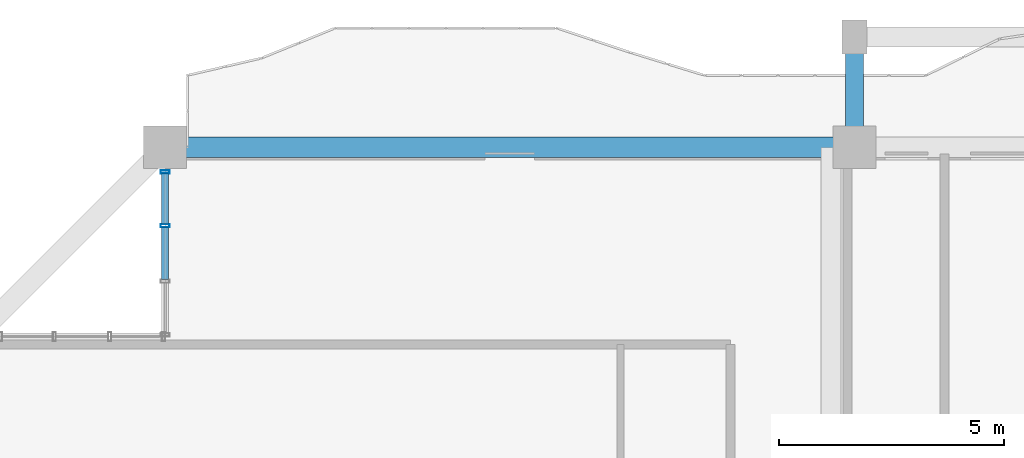
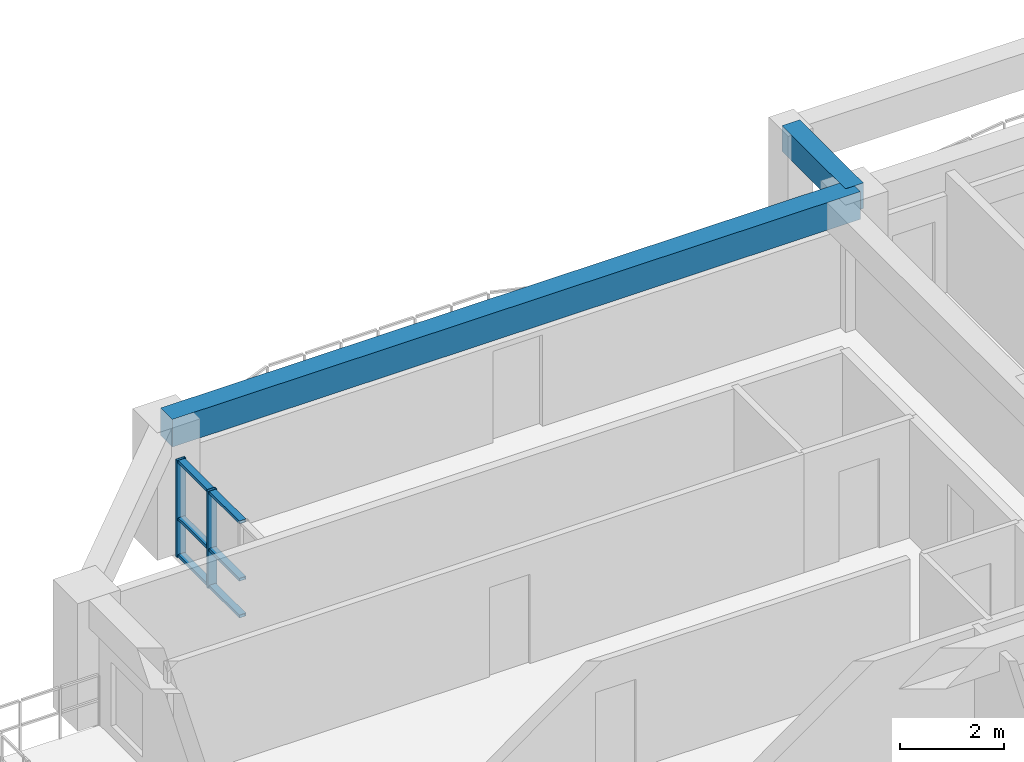
# One storey, part 8 of 22: 8 members, 2 beams, 1 element without a shape of its own.
"""IFC4 building model written with IfcOpenShell, lengths in metres."""

from ifc_helpers import new_model, si_unit, direction, frame, origin, origin_2d, place, context, subcontext, project, spatial, rectangle, hollow_rectangle, extrude, source, transform, mapped, material, layer, layer_set, material_profile, profile_set, type_object, element, aggregate, save


model = new_model("IFC4")

# Units and contexts
model_context = context("Model", 3, precision=1e-05, world=origin(), true_north=direction((0.0, 1.0)))
body_context = subcontext(model_context, "Body", "Model", "MODEL_VIEW")
ifc_project = project(units=[si_unit("LENGTHUNIT", "METRE"), si_unit("AREAUNIT", "SQUARE_METRE"), si_unit("VOLUMEUNIT", "CUBIC_METRE"), si_unit("PLANEANGLEUNIT", "RADIAN"), si_unit("MASSUNIT", "GRAM", prefix="KILO")], contexts=[model_context])

# Site, building, storey
site_placement = place(None, origin())
site = spatial("IfcSite", under=ifc_project, at=site_placement, CompositionType="ELEMENT")
building_placement = place(site_placement, origin())
building = spatial("IfcBuilding", under=site, at=building_placement, Name="Saelheon Loggia Tower", CompositionType="ELEMENT")
storey_placement = place(building_placement, frame((0.0, 0.0, 135.75)))
storey = spatial("IfcBuildingStorey", under=building, at=storey_placement, Name="L43", CompositionType="ELEMENT", Elevation=135.75)

# Beams
ifc_material_1 = material(Name="Precast Concrete C45/55", Category="concrete")
ifc_material_profile_1 = material_profile(ifc_material_1, rectangle(XDim=0.39990234375, YDim=0.60009765625, at=origin_2d()), Name="RC-400x600")
ifc_profile_set_1 = profile_set([ifc_material_profile_1], Name="Precast Concrete C45/55")
beam_type_1 = type_object("IfcBeamType", Name="Beam_LoggiaTie_RC400x600", PredefinedType="BEAM", material=ifc_profile_set_1)
shared_shape_1 = source(origin(), body_context, "Body", "SweptSolid", [
    extrude(rectangle(XDim=0.39990234375, YDim=0.60009765625, at=origin_2d()), origin(), (0.0, 0.0, 1.0), 2.449951171875),
])
beam_1_placement = place(storey_placement, frame((31.5, 51.0, 2.699951171875), z_axis=(0.0, 1.0, 0.0), x_axis=(-1.0, 0.0, 0.0)))
element("IfcBeam", 1, at=beam_1_placement, inside=storey, type_object=beam_type_1, Name="L43 Loggia Frame Tie Beam LP-N1", PredefinedType="BEAM", context=body_context, shape_type="MappedRepresentation", body=[
    mapped(shared_shape_1, transform((0.0, 0.0, 0.0), scale=1.0)),
])
ifc_material_2 = material(Name="Concrete C40/50", Category="concrete")
ifc_material_profile_2 = material_profile(ifc_material_2, rectangle(XDim=0.449951171875, YDim=0.64990234375, at=origin_2d()), Name="RC-450x650")
ifc_profile_set_2 = profile_set([ifc_material_profile_2], Name="Concrete C40/50")
beam_type_2 = type_object("IfcBeamType", Name="Beam_PerimTower_RC450x650", PredefinedType="BEAM", material=ifc_profile_set_2)
shared_shape_2 = source(origin(), body_context, "Body", "SweptSolid", [
    extrude(rectangle(XDim=0.449951171875, YDim=0.64990234375, at=origin_2d()), origin(), (0.0, 0.0, 1.0), 15.300048828125),
])
beam_2_placement = place(storey_placement, frame((31.5, 51.0, 2.675048828125), z_axis=(-1.0, 0.0, 0.0), x_axis=(0.0, -1.0, 0.0)))
element("IfcBeam", 2, at=beam_2_placement, inside=storey, type_object=beam_type_2, Name="L43 Perimeter Frame Girder 11", PredefinedType="BEAM", context=body_context, shape_type="MappedRepresentation", body=[
    mapped(shared_shape_2, transform((0.0, 0.0, 0.0), scale=1.0)),
])

# Curtain wall, members
ifc_material_3 = material(Name="High-Wind Aluminium and Triple Laminated Glass", Category="aluminium")
ifc_layer = layer(ifc_material_3, 0.179931640625)
ifc_layer_set = layer_set([ifc_layer], Name="High-Wind Aluminium and Triple Laminated Glass")
curtain_wall_type = type_object("IfcCurtainWallType", Name="CW_TowerLoggiaHigh", PredefinedType="NOTDEFINED", material=ifc_layer_set)
curtain_wall_placement = place(storey_placement, origin())
curtain_wall = element("IfcCurtainWall", 3, at=curtain_wall_placement, inside=storey, type_object=curtain_wall_type, Name="L43 Corner Notch Glazing NW1", PredefinedType="NOTDEFINED")
ifc_material_4 = material(Name="Anodised Aluminium 6063-T6", Category="aluminium")
ifc_material_profile_3 = material_profile(ifc_material_4, hollow_rectangle(XDim=0.070068359375, YDim=0.199951171875, WallThickness=0.0048828125, at=origin_2d()), Name="RHS-200x70x5")
ifc_profile_set_3 = profile_set([ifc_material_profile_3], Name="Anodised Aluminium 6063-T6")
member_type_1 = type_object("IfcMemberType", Name="CW_TowerLoggiaHigh_Mullion", PredefinedType="MULLION", material=ifc_profile_set_3)
shared_shape_3 = source(origin(), body_context, "Body", "SweptSolid", [
    extrude(hollow_rectangle(XDim=0.070068359375, YDim=0.199951171875, WallThickness=0.0048828125, at=origin_2d()), origin(), (0.0, 0.0, 1.0), 2.280029296875),
])
member_1_placement = place(storey_placement, frame((16.199951171875, 49.256591796875, 0.0), z_axis=(0.0, 0.0, 1.0), x_axis=(0.0, 1.0, 0.0)))
member_1 = element("IfcMember", 4, at=member_1_placement, type_object=member_type_1, Name="CW4 mullion 3", PredefinedType="MULLION", context=body_context, shape_type="MappedRepresentation", body=[
    mapped(shared_shape_3, transform((0.0, 0.0, 0.0), scale=1.0)),
])
member_2_placement = place(storey_placement, frame((16.199951171875, 50.449951171875, 0.0), z_axis=(0.0, 0.0, 1.0), x_axis=(0.0, 1.0, 0.0)))
member_2 = element("IfcMember", 5, at=member_2_placement, type_object=member_type_1, Name="CW4 mullion 4", PredefinedType="MULLION", context=body_context, shape_type="MappedRepresentation", body=[
    mapped(shared_shape_3, transform((0.0, 0.0, 0.0), scale=1.0)),
])
ifc_material_profile_4 = material_profile(ifc_material_4, hollow_rectangle(XDim=0.070068359375, YDim=0.14990234375, WallThickness=0.0048828125, at=origin_2d()), Name="RHS-150x70x5")
ifc_profile_set_4 = profile_set([ifc_material_profile_4], Name="Anodised Aluminium 6063-T6")
member_type_2 = type_object("IfcMemberType", Name="CW_TowerLoggiaHigh_Transom", PredefinedType="USERDEFINED", material=ifc_profile_set_4)
shared_shape_4 = source(origin(), body_context, "Body", "SweptSolid", [
    extrude(hollow_rectangle(XDim=0.070068359375, YDim=0.14990234375, WallThickness=0.0048828125, at=origin_2d()), origin(), (0.0, 0.0, 1.0), 1.123291015625),
])
member_3_placement = place(storey_placement, frame((16.199951171875, 49.291748046875, 0.034912109375), z_axis=(0.0, 1.0, 0.0), x_axis=(0.0, 0.0, 1.0)))
member_3 = element("IfcMember", 6, at=member_3_placement, type_object=member_type_2, Name="CW4 transom 3.1", ObjectType="TRANSOM", PredefinedType="USERDEFINED", context=body_context, shape_type="MappedRepresentation", body=[
    mapped(shared_shape_4, transform((0.0, 0.0, 0.0), scale=1.0)),
])
member_4_placement = place(storey_placement, frame((16.199951171875, 49.291748046875, 0.89990234375), z_axis=(0.0, 1.0, 0.0), x_axis=(0.0, 0.0, 1.0)))
member_4 = element("IfcMember", 7, at=member_4_placement, type_object=member_type_2, Name="CW4 transom 3.2", ObjectType="TRANSOM", PredefinedType="USERDEFINED", context=body_context, shape_type="MappedRepresentation", body=[
    mapped(shared_shape_4, transform((0.0, 0.0, 0.0), scale=1.0)),
])
member_5_placement = place(storey_placement, frame((16.199951171875, 49.291748046875, 2.2451171875), z_axis=(0.0, 1.0, 0.0), x_axis=(0.0, 0.0, 1.0)))
member_5 = element("IfcMember", 8, at=member_5_placement, type_object=member_type_2, Name="CW4 transom 3.3", ObjectType="TRANSOM", PredefinedType="USERDEFINED", context=body_context, shape_type="MappedRepresentation", body=[
    mapped(shared_shape_4, transform((0.0, 0.0, 0.0), scale=1.0)),
])
shared_shape_5 = source(origin(), body_context, "Body", "SweptSolid", [
    extrude(hollow_rectangle(XDim=0.070068359375, YDim=0.14990234375, WallThickness=0.0048828125, at=origin_2d()), origin(), (0.0, 0.0, 1.0), 1.158447265625),
])
member_6_placement = place(storey_placement, frame((16.199951171875, 48.063232421875, 0.034912109375), z_axis=(0.0, 1.0, 0.0), x_axis=(0.0, 0.0, 1.0)))
member_6 = element("IfcMember", 9, at=member_6_placement, type_object=member_type_2, Name="CW4 transom 2.1", ObjectType="TRANSOM", PredefinedType="USERDEFINED", context=body_context, shape_type="MappedRepresentation", body=[
    mapped(shared_shape_5, transform((0.0, 0.0, 0.0), scale=1.0)),
])
member_7_placement = place(storey_placement, frame((16.199951171875, 48.063232421875, 0.89990234375), z_axis=(0.0, 1.0, 0.0), x_axis=(0.0, 0.0, 1.0)))
member_7 = element("IfcMember", 10, at=member_7_placement, type_object=member_type_2, Name="CW4 transom 2.2", ObjectType="TRANSOM", PredefinedType="USERDEFINED", context=body_context, shape_type="MappedRepresentation", body=[
    mapped(shared_shape_5, transform((0.0, 0.0, 0.0), scale=1.0)),
])
member_8_placement = place(storey_placement, frame((16.199951171875, 48.063232421875, 2.2451171875), z_axis=(0.0, 1.0, 0.0), x_axis=(0.0, 0.0, 1.0)))
member_8 = element("IfcMember", 11, at=member_8_placement, type_object=member_type_2, Name="CW4 transom 2.3", ObjectType="TRANSOM", PredefinedType="USERDEFINED", context=body_context, shape_type="MappedRepresentation", body=[
    mapped(shared_shape_5, transform((0.0, 0.0, 0.0), scale=1.0)),
])
aggregate(curtain_wall, [member_1, member_2, member_6, member_7, member_8, member_3, member_4, member_5])

save(model, "model.ifc")
